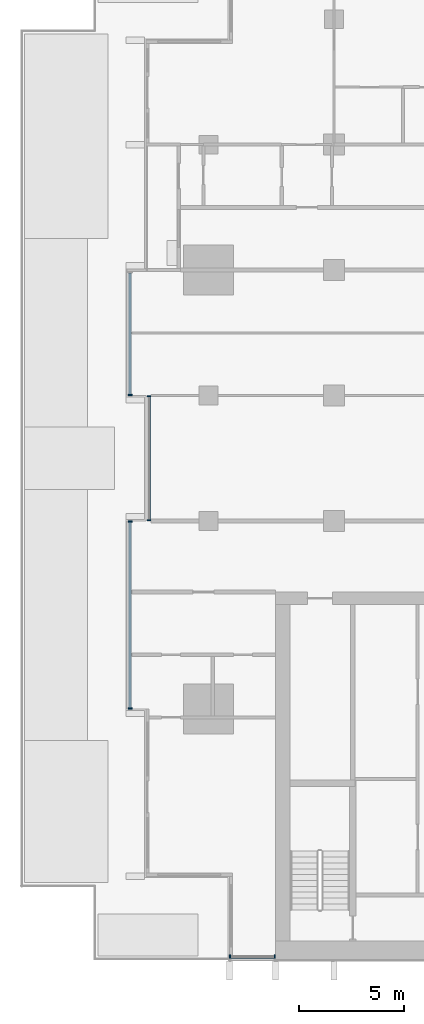
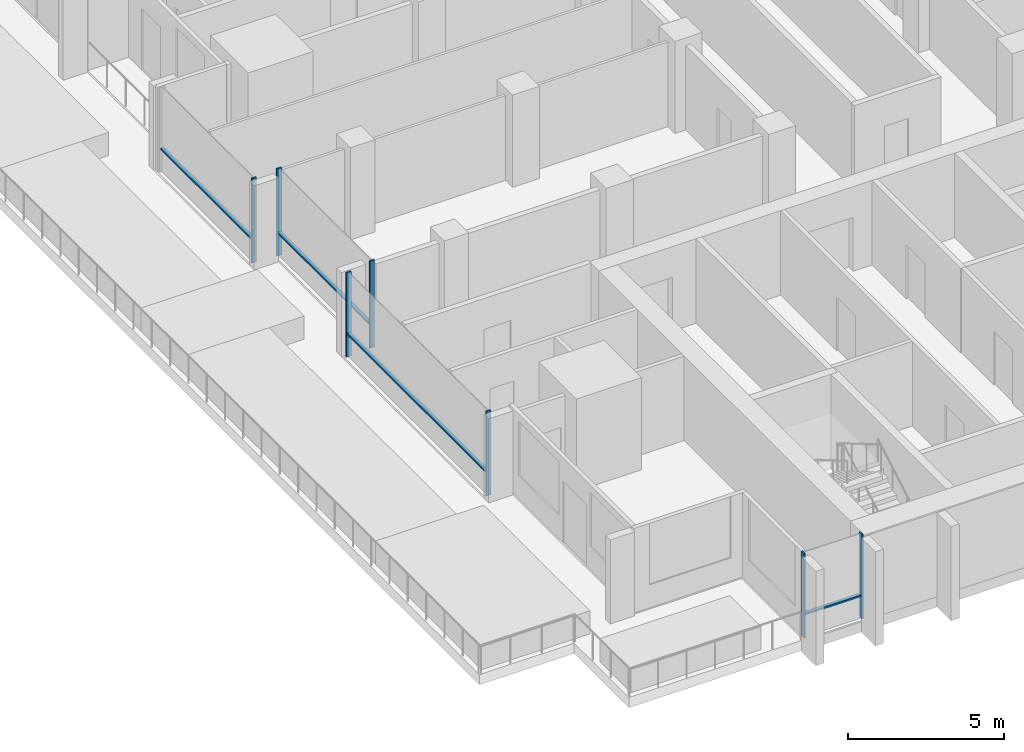
# One storey, part 2 of 18: 11 members, 4 elements without a shape of their own.
"""IFC4 building model written with IfcOpenShell, lengths in metres."""

from ifc_helpers import new_model, si_unit, direction, frame, origin, origin_2d, place, context, subcontext, project, spatial, rectangle, extrude, material, material_profile, profile_set, type_object, element, aggregate, save


model = new_model("IFC4")

# Units and contexts
model_context = context("Model", 3, precision=1e-05, world=origin(), true_north=direction((0.0, 1.0)))
body_context = subcontext(model_context, "Body", "Model", "MODEL_VIEW")
ifc_project = project(units=[si_unit("LENGTHUNIT", "METRE"), si_unit("AREAUNIT", "SQUARE_METRE"), si_unit("VOLUMEUNIT", "CUBIC_METRE"), si_unit("PLANEANGLEUNIT", "RADIAN"), si_unit("MASSUNIT", "GRAM", prefix="KILO")], contexts=[model_context])

# Site, building, storey
site_placement = place(None, origin())
site = spatial("IfcSite", under=ifc_project, at=site_placement, CompositionType="ELEMENT")
building_placement = place(site_placement, origin())
building = spatial("IfcBuilding", under=site, at=building_placement, Name="Finial Court Residences", CompositionType="ELEMENT")
storey_placement = place(building_placement, frame((0.0, 0.0, 149.300048828125)))
storey = spatial("IfcBuildingStorey", under=building, at=storey_placement, Name="L36", CompositionType="ELEMENT", Elevation=149.300048828125)

# Curtain wall, members
ifc_material = material(Name="Bronze anodised aluminium", Category="aluminium")
curtain_wall_type = type_object("IfcCurtainWallType", Name="Unitised curtain wall, upper zones", PredefinedType="NOTDEFINED", material=ifc_material)
curtain_wall_1_placement = place(storey_placement, origin())
curtain_wall_1 = element("IfcCurtainWall", 1, at=curtain_wall_1_placement, inside=storey, type_object=curtain_wall_type, Name="E-L36-CW-S6", PredefinedType="NOTDEFINED")
ifc_material_profile_1 = material_profile(ifc_material, rectangle(XDim=0.175048828125, YDim=0.06005859375, at=origin_2d()), Name="CW2 mullion 60 x 175")
ifc_profile_set_1 = profile_set([ifc_material_profile_1], Name="Bronze anodised aluminium")
member_type_1 = type_object("IfcMemberType", Name="CW2 mullion 60 x 175", PredefinedType="MULLION", material=ifc_profile_set_1)
member_1_placement = place(storey_placement, frame((-15.469970703125, -25.35009765625, 0.0), z_axis=(0.0, 0.0, 1.0), x_axis=(0.0, 1.0, 0.0)))
member_1 = element("IfcMember", 2, at=member_1_placement, type_object=member_type_1, Name="CW2 mullion 1", PredefinedType="MULLION", context=body_context, shape_type="SweptSolid", body=[
    extrude(rectangle(XDim=0.175048828125, YDim=0.06005859375, at=origin_2d()), origin(), (0.0, 0.0, 1.0), 3.300048828125),
])
member_2_placement = place(storey_placement, frame((-13.330078125, -25.35009765625, 0.0), z_axis=(0.0, 0.0, 1.0), x_axis=(0.0, 1.0, 0.0)))
member_2 = element("IfcMember", 3, at=member_2_placement, type_object=member_type_1, Name="CW2 mullion 2", PredefinedType="MULLION", context=body_context, shape_type="SweptSolid", body=[
    extrude(rectangle(XDim=0.175048828125, YDim=0.06005859375, at=origin_2d()), origin(), (0.0, 0.0, 1.0), 3.300048828125),
])

curtain_wall_2_placement = place(storey_placement, origin())
curtain_wall_2 = element("IfcCurtainWall", 4, at=curtain_wall_2_placement, inside=storey, type_object=curtain_wall_type, Name="E-L36-CW-W8", PredefinedType="NOTDEFINED")
member_3_placement = place(storey_placement, frame((-20.25, -13.469970703125, 0.0), z_axis=(0.0, 0.0, 1.0), x_axis=(-1.0, 0.0, 0.0)))
member_3 = element("IfcMember", 5, at=member_3_placement, type_object=member_type_1, Name="CW2 mullion 1", PredefinedType="MULLION", context=body_context, shape_type="SweptSolid", body=[
    extrude(rectangle(XDim=0.175048828125, YDim=0.06005859375, at=origin_2d()), origin(), (0.0, 0.0, 1.0), 3.300048828125),
])
member_4_placement = place(storey_placement, frame((-20.25, -4.530029296875, 0.0), z_axis=(0.0, 0.0, 1.0), x_axis=(-1.0, 0.0, 0.0)))
member_4 = element("IfcMember", 6, at=member_4_placement, type_object=member_type_1, Name="CW2 mullion 2", PredefinedType="MULLION", context=body_context, shape_type="SweptSolid", body=[
    extrude(rectangle(XDim=0.175048828125, YDim=0.06005859375, at=origin_2d()), origin(), (0.0, 0.0, 1.0), 3.300048828125),
])

curtain_wall_3_placement = place(storey_placement, origin())
curtain_wall_3 = element("IfcCurtainWall", 7, at=curtain_wall_3_placement, inside=storey, type_object=curtain_wall_type, Name="E-L36-CW-W9", PredefinedType="NOTDEFINED")
member_5_placement = place(storey_placement, frame((-19.35009765625, -4.469970703125, 0.0), z_axis=(0.0, 0.0, 1.0), x_axis=(-1.0, 0.0, 0.0)))
member_5 = element("IfcMember", 8, at=member_5_placement, type_object=member_type_1, Name="CW2 mullion 1", PredefinedType="MULLION", context=body_context, shape_type="SweptSolid", body=[
    extrude(rectangle(XDim=0.175048828125, YDim=0.06005859375, at=origin_2d()), origin(), (0.0, 0.0, 1.0), 3.39990234375),
])
member_6_placement = place(storey_placement, frame((-19.35009765625, 1.469970703125, 0.0), z_axis=(0.0, 0.0, 1.0), x_axis=(-1.0, 0.0, 0.0)))
member_6 = element("IfcMember", 9, at=member_6_placement, type_object=member_type_1, Name="CW2 mullion 2", PredefinedType="MULLION", context=body_context, shape_type="SweptSolid", body=[
    extrude(rectangle(XDim=0.175048828125, YDim=0.06005859375, at=origin_2d()), origin(), (0.0, 0.0, 1.0), 3.39990234375),
])

# Curtain wall, member
curtain_wall_4_placement = place(storey_placement, origin())
curtain_wall_4 = element("IfcCurtainWall", 10, at=curtain_wall_4_placement, inside=storey, type_object=curtain_wall_type, Name="E-L36-CW-W10", PredefinedType="NOTDEFINED")
member_7_placement = place(storey_placement, frame((-20.25, 1.530029296875, 0.0), z_axis=(0.0, 0.0, 1.0), x_axis=(-1.0, 0.0, 0.0)))
member_7 = element("IfcMember", 11, at=member_7_placement, type_object=member_type_1, Name="CW2 mullion 1", PredefinedType="MULLION", context=body_context, shape_type="SweptSolid", body=[
    extrude(rectangle(XDim=0.175048828125, YDim=0.06005859375, at=origin_2d()), origin(), (0.0, 0.0, 1.0), 3.300048828125),
])

# Member
ifc_material_profile_2 = material_profile(ifc_material, rectangle(XDim=0.139892578125, YDim=0.06005859375, at=origin_2d()), Name="CW2 transom 60 x 140")
ifc_profile_set_2 = profile_set([ifc_material_profile_2], Name="Bronze anodised aluminium")
member_type_2 = type_object("IfcMemberType", Name="CW2 transom 60 x 140", PredefinedType="USERDEFINED", material=ifc_profile_set_2)
member_8_placement = place(storey_placement, frame((-15.43994140625, -25.35009765625, 0.89990234375), z_axis=(1.0, 0.0, 0.0), x_axis=(0.0, 1.0, 0.0)))
member_8 = element("IfcMember", 12, at=member_8_placement, type_object=member_type_2, Name="CW2 transom 1.1", ObjectType="TRANSOM", PredefinedType="USERDEFINED", context=body_context, shape_type="SweptSolid", body=[
    extrude(rectangle(XDim=0.139892578125, YDim=0.06005859375, at=origin_2d()), origin(), (0.0, 0.0, 1.0), 2.079833984375),
])

aggregate(curtain_wall_1, [member_1, member_2, member_8])

member_9_placement = place(storey_placement, frame((-20.25, -13.43994140625, 0.89990234375), z_axis=(0.0, 1.0, 0.0), x_axis=(-1.0, 0.0, 0.0)))
member_9 = element("IfcMember", 13, at=member_9_placement, type_object=member_type_2, Name="CW2 transom 1.1", ObjectType="TRANSOM", PredefinedType="USERDEFINED", context=body_context, shape_type="SweptSolid", body=[
    extrude(rectangle(XDim=0.139892578125, YDim=0.06005859375, at=origin_2d()), origin(), (0.0, 0.0, 1.0), 8.8798828125),
])

aggregate(curtain_wall_2, [member_3, member_4, member_9])

member_10_placement = place(storey_placement, frame((-19.35009765625, -4.43994140625, 0.89990234375), z_axis=(0.0, 1.0, 0.0), x_axis=(-1.0, 0.0, 0.0)))
member_10 = element("IfcMember", 14, at=member_10_placement, type_object=member_type_2, Name="CW2 transom 1.1", ObjectType="TRANSOM", PredefinedType="USERDEFINED", context=body_context, shape_type="SweptSolid", body=[
    extrude(rectangle(XDim=0.139892578125, YDim=0.06005859375, at=origin_2d()), origin(), (0.0, 0.0, 1.0), 5.8798828125),
])

aggregate(curtain_wall_3, [member_5, member_6, member_10])

member_11_placement = place(storey_placement, frame((-20.25, 1.56005859375, 0.89990234375), z_axis=(0.0, 1.0, 0.0), x_axis=(-1.0, 0.0, 0.0)))
member_11 = element("IfcMember", 15, at=member_11_placement, type_object=member_type_2, Name="CW2 transom 1.1", ObjectType="TRANSOM", PredefinedType="USERDEFINED", context=body_context, shape_type="SweptSolid", body=[
    extrude(rectangle(XDim=0.139892578125, YDim=0.06005859375, at=origin_2d()), origin(), (0.0, 0.0, 1.0), 5.804931640625),
])

aggregate(curtain_wall_4, [member_7, member_11])

save(model, "model.ifc")
